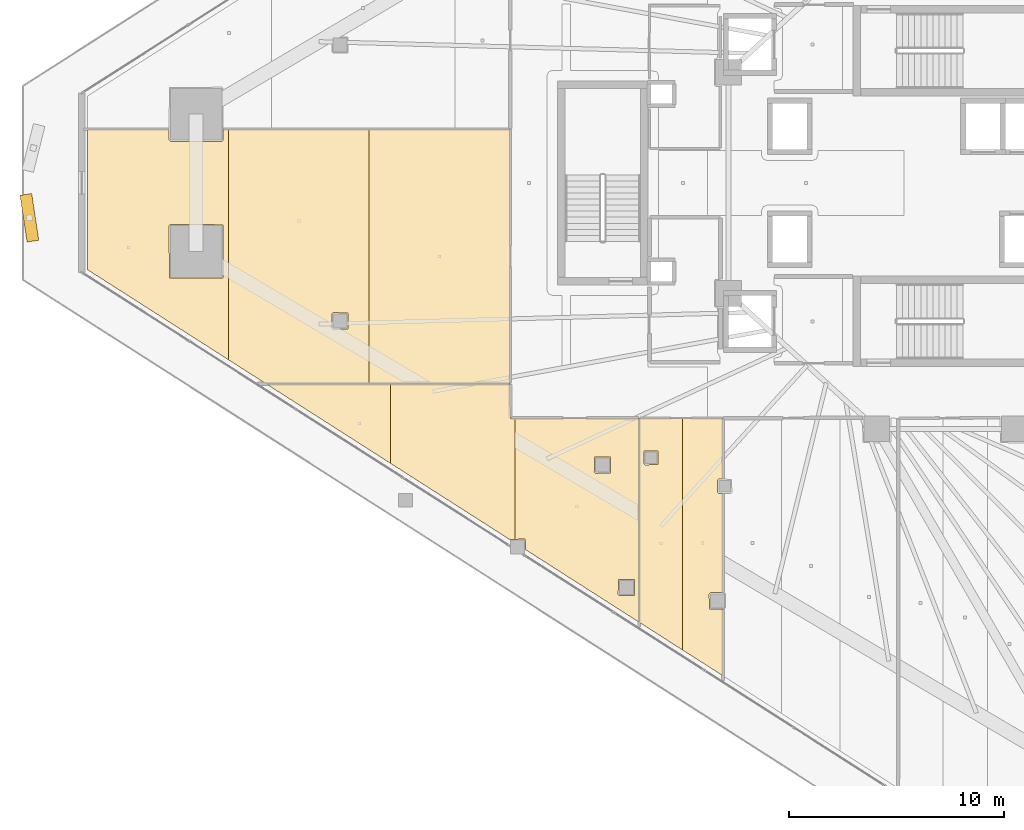
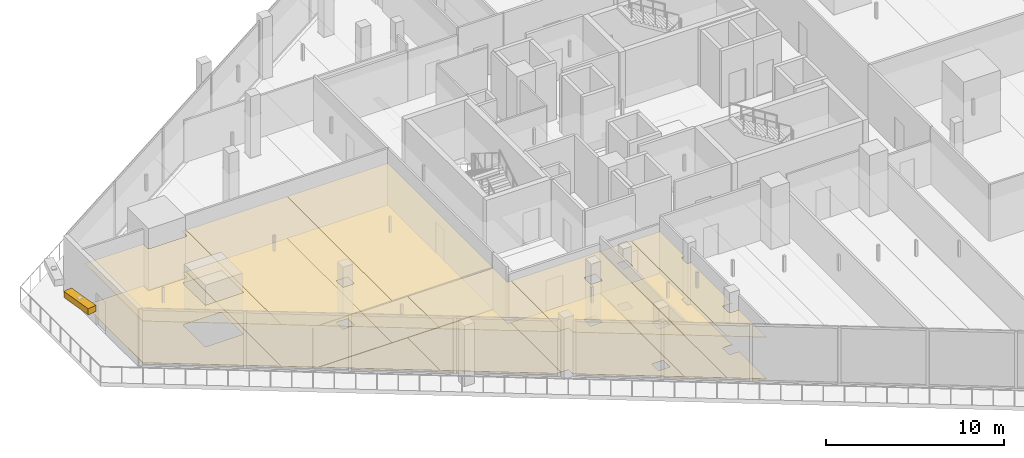
# One storey, part 36 of 44: 16 coverings, 1 shading device.
"""IFC4 building model written with IfcOpenShell, lengths in metres."""

import ifcopenshell
import ifcopenshell.guid

model = None  # the IFC model being written
_history = None  # IfcOwnerHistory: only IFC2X3 demands one
_inside = {}  # id of a spatial element -> (the spatial element, [elements in it])
_under = {}  # id of a project, library or spatial element -> (it, [spatial elements below it])
_declared = {}  # id of a project -> (the project, [libraries it declares])
_typed = {}  # id of a type object -> (the type object, [elements of that type])
_made_of = {}  # id of a material, layer set ... -> (it, [elements and type objects made of it])


def new_model(schema):
    """Start an empty IFC model of exactly this schema.

    Asked for "IFC4X3", IfcOpenShell would pick the latest addendum, in which some entities
    have other attributes; the version numbers below select the first issue.
    IFC2X3 requires an IfcOwnerHistory on every rooted entity: one is made here for all.
    """
    global model, _history
    if schema == "IFC4X3":
        model = ifcopenshell.file(schema_version=(4, 3, 0, 0))
    else:
        model = ifcopenshell.file(schema=schema)
    _inside.clear()
    _under.clear()
    _declared.clear()
    _typed.clear()
    _made_of.clear()
    _history = None
    if model.schema == "IFC2X3":
        org = make("IfcOrganization", Name="unknown")
        user = make(
            "IfcPersonAndOrganization",
            ThePerson=make("IfcPerson", FamilyName="unknown"),
            TheOrganization=org,
        )
        app = make(
            "IfcApplication",
            ApplicationDeveloper=org,
            Version="unknown",
            ApplicationFullName="unknown",
            ApplicationIdentifier="unknown",
        )
        _history = make(
            "IfcOwnerHistory",
            OwningUser=user,
            OwningApplication=app,
            ChangeAction="ADDED",
            CreationDate=0,
        )
    return model


def make(cls, **values):
    """One entity of the class cls with the attributes given. An attribute that is None is left unset."""
    return model.create_entity(
        cls, **{name: value for name, value in values.items() if value is not None}
    )


def rooted(cls, **values):
    """An entity with a GlobalId (a new one), such as an element, a storey or a relation."""
    return make(cls, GlobalId=ifcopenshell.guid.new(), OwnerHistory=_history, **values)


def si_unit(unit_type, name, prefix=None):
    """IfcSIUnit, for example si_unit("LENGTHUNIT", "METRE", prefix="MILLI")."""
    return make("IfcSIUnit", UnitType=unit_type, Prefix=prefix, Name=name)


def assignment(units):
    """IfcUnitAssignment: the units of a project."""
    return None if units is None else make("IfcUnitAssignment", Units=units)


def point(xyz):
    """IfcCartesianPoint."""
    return None if xyz is None else make("IfcCartesianPoint", Coordinates=xyz)


def direction(xyz):
    """IfcDirection."""
    return None if xyz is None else make("IfcDirection", DirectionRatios=xyz)


def frame(location, z_axis=None, x_axis=None):
    """IfcAxis2Placement3D, a coordinate frame: its origin and axes. An axis left out is left unset."""
    return make(
        "IfcAxis2Placement3D",
        Location=point(location),
        Axis=direction(z_axis),
        RefDirection=direction(x_axis),
    )


def frame_2d(location, x_axis=None):
    """IfcAxis2Placement2D, a coordinate frame in the plane: its origin and x axis."""
    return make(
        "IfcAxis2Placement2D", Location=point(location), RefDirection=direction(x_axis)
    )


def origin():
    """The frame at (0, 0, 0) with its axes left unset."""
    return frame((0.0, 0.0, 0.0))


def origin_2d():
    """The frame at (0, 0) in the plane with its x axis left unset."""
    return frame_2d((0.0, 0.0))


def place(relative_to, where):
    """IfcLocalPlacement: puts the frame where relative to a parent placement (None: the world)."""
    return make(
        "IfcLocalPlacement", PlacementRelTo=relative_to, RelativePlacement=where
    )


def context(
    kind, dimensions, precision=None, world=None, true_north=None, identifier=None
):
    """IfcGeometricRepresentationContext, for example the 3D "Model" context."""
    return make(
        "IfcGeometricRepresentationContext",
        ContextIdentifier=identifier,
        ContextType=kind,
        CoordinateSpaceDimension=dimensions,
        Precision=precision,
        WorldCoordinateSystem=world,
        TrueNorth=true_north,
    )


def subcontext(parent, identifier, kind, view, scale=None):
    """IfcGeometricRepresentationSubContext, for example "Body" below "Model"."""
    return make(
        "IfcGeometricRepresentationSubContext",
        ContextIdentifier=identifier,
        ContextType=kind,
        ParentContext=parent,
        TargetScale=scale,
        TargetView=view,
    )


def project(units=None, contexts=None):
    """IfcProject with its units and contexts."""
    return rooted(
        "IfcProject",
        Name="project",
        RepresentationContexts=contexts,
        UnitsInContext=assignment(units),
    )


def spatial(cls, under=None, at=None, **own):
    """A site, building, storey or space (cls), placed at a placement, below another one or the project."""
    s = rooted(cls, ObjectPlacement=at, **own)
    if under is not None:
        _under.setdefault(under.id(), (under, []))[1].append(s)
    return s


def polyline(points):
    """IfcPolyline through the points."""
    return make("IfcPolyline", Points=[point(p) for p in points])


def profile(cls, at=None, kind="AREA", **sizes):
    """A parametric profile (cls). Its sizes go by their IFC names, for example OverallWidth=200.0."""
    return make(cls, ProfileType=kind, Position=at, **sizes)


def rectangle(**sizes):
    """IfcRectangleProfileDef."""
    return profile("IfcRectangleProfileDef", **sizes)


def outline(outer, holes=None, kind="AREA"):
    """IfcArbitraryClosedProfileDef: a profile drawn as a closed curve; with holes, ...WithVoids."""
    if holes is None:
        return make("IfcArbitraryClosedProfileDef", ProfileType=kind, OuterCurve=outer)
    return make(
        "IfcArbitraryProfileDefWithVoids",
        ProfileType=kind,
        OuterCurve=outer,
        InnerCurves=holes,
    )


def extrude(swept, where, along, depth):
    """IfcExtrudedAreaSolid: the profile swept, set in the frame where, extruded along a direction by depth."""
    return make(
        "IfcExtrudedAreaSolid",
        SweptArea=swept,
        Position=where,
        ExtrudedDirection=direction(along),
        Depth=depth,
    )


def shape(context_of_items, identifier, shape_type, items):
    """IfcShapeRepresentation: the items that make up one representation, for example the "Body"."""
    return make(
        "IfcShapeRepresentation",
        ContextOfItems=context_of_items,
        RepresentationIdentifier=identifier,
        RepresentationType=shape_type,
        Items=items,
    )


def material(Name=None, Category=None):
    """IfcMaterial."""
    return make("IfcMaterial", Name=Name, Category=Category)


def layer(
    of_material, thickness, ventilated=None, Name=None, Category=None, Priority=None
):
    """IfcMaterialLayer: one layer of a wall or slab, of a material (None: an air gap)."""
    return make(
        "IfcMaterialLayer",
        Material=of_material,
        LayerThickness=thickness,
        IsVentilated=ventilated,
        Name=Name,
        Category=Category,
        Priority=Priority,
    )


def layer_set(layers, Name=None):
    """IfcMaterialLayerSet."""
    return make("IfcMaterialLayerSet", MaterialLayers=layers, LayerSetName=Name)


def made_of(thing, what):
    """Note that an element or type object is made of a material, layer set ...; save() writes the relation."""
    if what is not None:
        _made_of.setdefault(what.id(), (what, []))[1].append(thing)
    return thing


def type_object(cls, material=None, **own):
    """A type object (cls), such as IfcWallType, which elements share."""
    return made_of(rooted(cls, **own), material)


def element(
    cls,
    number,
    at=None,
    inside=None,
    cuts=None,
    type_object=None,
    material=None,
    context=None,
    identifier="Body",
    shape_type=None,
    held_by="IfcProductDefinitionShape",
    body=None,
    shapes=None,
    **own,
):
    """One element of the class cls, such as IfcWall. Its Tag is "e" and its number.

    at: its placement. inside: the storey or other place that contains it. cuts: it is an
    opening in that element (IfcRelVoidsElement). A single representation is given by context,
    identifier, shape_type and body (its items); several are given by shapes. held_by: the class
    of the entity that holds the representations. save() writes the other relations.
    """
    e = rooted(cls, Tag="e%d" % number, ObjectPlacement=at, **own)
    if body is not None:
        shapes = [shape(context, identifier, shape_type, body)]
    if shapes is not None:
        e.Representation = make(held_by, Representations=shapes)
    if inside is not None:
        _inside.setdefault(inside.id(), (inside, []))[1].append(e)
    if cuts is not None:
        rooted(
            "IfcRelVoidsElement", RelatingBuildingElement=cuts, RelatedOpeningElement=e
        )
    if type_object is not None:
        _typed.setdefault(type_object.id(), (type_object, []))[1].append(e)
    return made_of(e, material)


def aggregate(whole, parts):
    """IfcRelAggregates: a whole, such as a stair, and the parts it consists of."""
    return rooted("IfcRelAggregates", RelatingObject=whole, RelatedObjects=parts)


def save(model, path):
    """Write the relations noted so far, then the file.

    IfcRelAggregates (storeys below a building ...), IfcRelContainedInSpatialStructure (elements
    in a storey), IfcRelDefinesByType, IfcRelAssociatesMaterial and IfcRelDeclares: one each for
    every whole, place, type object, material and project.
    """
    for whole, parts in _under.values():
        aggregate(whole, parts)
    for where, things in _inside.values():
        rooted(
            "IfcRelContainedInSpatialStructure",
            RelatedElements=things,
            RelatingStructure=where,
        )
    for kind, things in _typed.values():
        rooted("IfcRelDefinesByType", RelatedObjects=things, RelatingType=kind)
    for what, things in _made_of.values():
        rooted("IfcRelAssociatesMaterial", RelatedObjects=things, RelatingMaterial=what)
    for by, libraries in _declared.values():
        rooted("IfcRelDeclares", RelatingContext=by, RelatedDefinitions=libraries)
    model.write(path)


model = new_model("IFC4")

# Units and contexts
model_context = context("Model", 3, precision=1e-05, world=origin(), true_north=direction((0.0, 1.0)))
body_context = subcontext(model_context, "Body", "Model", "MODEL_VIEW")
ifc_project = project(units=[si_unit("LENGTHUNIT", "METRE"), si_unit("AREAUNIT", "SQUARE_METRE"), si_unit("VOLUMEUNIT", "CUBIC_METRE"), si_unit("PLANEANGLEUNIT", "RADIAN"), si_unit("MASSUNIT", "GRAM", prefix="KILO")], contexts=[model_context])

# Site, building, storey
site_placement = place(None, origin())
site = spatial("IfcSite", under=ifc_project, at=site_placement, CompositionType="ELEMENT")
building_placement = place(site_placement, origin())
building = spatial("IfcBuilding", under=site, at=building_placement, Name="Qorvath Tower", CompositionType="ELEMENT")
storey_placement = place(building_placement, frame((0.0, 0.0, 45.0)))
storey = spatial("IfcBuildingStorey", under=building, at=storey_placement, Name="L09", CompositionType="ELEMENT", Elevation=45.0)

# Coverings
ifc_material_1 = material(Name="Acoustic mineral fibre ceiling tile", Category="gypsum")
ifc_layer_1 = layer(ifc_material_1, 0.030029296875)
ifc_layer_set_1 = layer_set([ifc_layer_1], Name="COV-CEIL")
covering_type_1 = type_object("IfcCoveringType", Name="COV-CEIL", PredefinedType="CEILING", material=ifc_layer_set_1)
covering_1_placement = place(storey_placement, frame((0.0, 0.0, 2.85009765625)))
element("IfcCovering", 1, at=covering_1_placement, inside=storey, type_object=covering_type_1, Name="L09 Suspended Acoustic Ceiling 022", PredefinedType="CEILING", context=body_context, shape_type="SweptSolid", body=[
    extrude(outline(polyline([(-32.63916015625, -21.74462890625), (-32.63916015625, -10.962890625), (-34.64501953125, -10.962890625), (-34.64501953125, -20.462646484375), (-32.63916015625, -21.74462890625)]), holes=[polyline([(-34.439208984375, -13.0673828125), (-34.421630859375, -12.47509765625), (-33.786865234375, -12.47509765625), (-33.786865234375, -13.10986328125), (-34.379150390625, -13.12744140625), (-34.439208984375, -13.0673828125)])]), origin(), (0.0, 0.0, 1.0), 0.030029296875),
])
covering_2_placement = place(storey_placement, frame((0.0, 0.0, 2.85009765625)))
element("IfcCovering", 2, at=covering_2_placement, inside=storey, type_object=covering_type_1, Name="L09 Suspended Acoustic Ceiling 023", PredefinedType="CEILING", context=body_context, shape_type="SweptSolid", body=[
    extrude(outline(polyline([(-31.341064453125, -19.075439453125), (-30.762451171875, -19.075439453125), (-30.762451171875, -14.459228515625), (-30.9521484375, -14.459228515625), (-31.01220703125, -14.3994140625), (-31.01220703125, -13.849365234375), (-30.9521484375, -13.789306640625), (-30.762451171875, -13.789306640625), (-30.762451171875, -10.962890625), (-32.63916015625, -10.962890625), (-32.63916015625, -21.74462890625), (-30.762451171875, -22.944091796875), (-30.762451171875, -19.845458984375), (-31.383544921875, -19.827880859375), (-31.401123046875, -19.135498046875), (-31.341064453125, -19.075439453125)])), origin(), (0.0, 0.0, 1.0), 0.030029296875),
])
covering_3_placement = place(storey_placement, frame((0.0, 0.0, 2.85009765625)))
element("IfcCovering", 3, at=covering_3_placement, inside=storey, type_object=covering_type_1, Name="L09 Suspended Acoustic Ceiling 039", PredefinedType="CEILING", context=body_context, shape_type="SweptSolid", body=[
    extrude(outline(polyline([(-46.237548828125, -13.053466796875), (-46.237548828125, -9.354736328125), (-52.02490234375, -9.354736328125), (-46.237548828125, -13.053466796875)])), origin(), (0.0, 0.0, 1.0), 0.030029296875),
])
covering_4_placement = place(storey_placement, frame((0.0, 0.0, 2.85009765625)))
element("IfcCovering", 4, at=covering_4_placement, inside=storey, type_object=covering_type_1, Name="L09 Suspended Acoustic Ceiling 040", PredefinedType="CEILING", context=body_context, shape_type="SweptSolid", body=[
    extrude(outline(polyline([(-40.6630859375, -9.354736328125), (-46.237548828125, -9.354736328125), (-46.237548828125, -13.053466796875), (-40.701416015625, -16.591796875), (-40.4501953125, -16.590576171875), (-40.4501953125, -10.962890625), (-40.657958984375, -10.962890625), (-40.6630859375, -9.354736328125)])), origin(), (0.0, 0.0, 1.0), 0.030029296875),
])
covering_5_placement = place(storey_placement, frame((0.0, 0.0, 2.85009765625)))
element("IfcCovering", 5, at=covering_5_placement, inside=storey, type_object=covering_type_1, Name="L09 Suspended Acoustic Ceiling 041", PredefinedType="CEILING", context=body_context, shape_type="SweptSolid", body=[
    extrude(outline(polyline([(-40.4501953125, -10.962890625), (-40.4501953125, -16.590576171875), (-39.965087890625, -16.58837890625), (-39.947509765625, -17.07373046875), (-34.6630859375, -20.451171875), (-34.6630859375, -10.962890625), (-40.4501953125, -10.962890625)]), holes=[polyline([(-35.63671875, -19.154296875), (-35.619140625, -18.4619140625), (-34.88427734375, -18.4619140625), (-34.88427734375, -19.19677734375), (-35.57666015625, -19.21435546875), (-35.63671875, -19.154296875)]), polyline([(-36.749755859375, -13.46044921875), (-36.732177734375, -12.76806640625), (-35.997314453125, -12.76806640625), (-35.997314453125, -13.5029296875), (-36.689697265625, -13.5205078125), (-36.749755859375, -13.46044921875)])]), origin(), (0.0, 0.0, 1.0), 0.030029296875),
])
covering_6_placement = place(storey_placement, frame((0.0, 0.0, 2.85009765625)))
element("IfcCovering", 6, at=covering_6_placement, inside=storey, type_object=covering_type_1, Name="L09 Suspended Acoustic Ceiling 042", PredefinedType="CEILING", context=body_context, shape_type="SweptSolid", body=[
    extrude(outline(polyline([(-56.54296875, 2.494384765625), (-60.345947265625, 2.494384765625), (-60.345947265625, -4.036376953125), (-53.784912109375, -8.229736328125), (-53.784912109375, 2.494384765625), (-54.02294921875, 2.494384765625), (-54.02294921875, 1.994384765625), (-54.0830078125, 1.9345703125), (-56.48291015625, 1.9345703125), (-56.54296875, 1.994384765625), (-56.54296875, 2.494384765625)]), holes=[polyline([(-56.54296875, -1.994384765625), (-56.48291015625, -1.9345703125), (-54.04052734375, -1.9521484375), (-54.04052734375, -4.43701171875), (-56.525390625, -4.43701171875), (-56.54296875, -1.994384765625)])]), origin(), (0.0, 0.0, 1.0), 0.030029296875),
])
covering_7_placement = place(storey_placement, frame((0.0, 0.0, 2.85009765625)))
element("IfcCovering", 7, at=covering_7_placement, inside=storey, type_object=covering_type_1, Name="L09 Suspended Acoustic Ceiling 043", PredefinedType="CEILING", context=body_context, shape_type="SweptSolid", body=[
    extrude(outline(polyline([(-53.784912109375, 2.494384765625), (-53.784912109375, -8.229736328125), (-52.052978515625, -9.336669921875), (-47.22412109375, -9.336669921875), (-47.22412109375, 2.494384765625), (-53.784912109375, 2.494384765625)]), holes=[polyline([(-48.96337890625, -6.099609375), (-48.9033203125, -6.03955078125), (-48.2109375, -6.05712890625), (-48.2109375, -6.7919921875), (-48.94580078125, -6.7919921875), (-48.96337890625, -6.099609375)])]), origin(), (0.0, 0.0, 1.0), 0.030029296875),
])
covering_8_placement = place(storey_placement, frame((0.0, 0.0, 2.85009765625)))
element("IfcCovering", 8, at=covering_8_placement, inside=storey, type_object=covering_type_1, Name="L09 Suspended Acoustic Ceiling 044", PredefinedType="CEILING", context=body_context, shape_type="SweptSolid", body=[
    extrude(outline(polyline([(-47.22412109375, 2.494384765625), (-47.22412109375, -9.336669921875), (-40.6630859375, -9.336669921875), (-40.6630859375, 2.494384765625), (-47.22412109375, 2.494384765625)])), origin(), (0.0, 0.0, 1.0), 0.030029296875),
])
ifc_material_2 = material(Name="Low-VOC modular carpet tile", Category="textile")
ifc_layer_2 = layer(ifc_material_2, 0.014892578125)
ifc_layer_set_2 = layer_set([ifc_layer_2], Name="COV-FLOOR-CPT")
covering_type_2 = type_object("IfcCoveringType", Name="COV-FLOOR-CPT", PredefinedType="FLOORING", material=ifc_layer_set_2)
covering_9_placement = place(storey_placement, origin())
element("IfcCovering", 9, at=covering_9_placement, inside=storey, type_object=covering_type_2, Name="L09 Floor Finish 022", PredefinedType="FLOORING", context=body_context, shape_type="SweptSolid", body=[
    extrude(outline(polyline([(-32.63916015625, -21.74462890625), (-32.63916015625, -10.962890625), (-34.64501953125, -10.962890625), (-34.64501953125, -20.462646484375), (-32.63916015625, -21.74462890625)]), holes=[polyline([(-34.439208984375, -13.0673828125), (-34.421630859375, -12.47509765625), (-33.786865234375, -12.47509765625), (-33.786865234375, -13.10986328125), (-34.379150390625, -13.12744140625), (-34.439208984375, -13.0673828125)])]), origin(), (0.0, 0.0, 1.0), 0.014892578125),
])
covering_10_placement = place(storey_placement, origin())
element("IfcCovering", 10, at=covering_10_placement, inside=storey, type_object=covering_type_2, Name="L09 Floor Finish 023", PredefinedType="FLOORING", context=body_context, shape_type="SweptSolid", body=[
    extrude(outline(polyline([(-31.341064453125, -19.075439453125), (-30.762451171875, -19.075439453125), (-30.762451171875, -14.459228515625), (-30.9521484375, -14.459228515625), (-31.01220703125, -14.3994140625), (-31.01220703125, -13.849365234375), (-30.9521484375, -13.789306640625), (-30.762451171875, -13.789306640625), (-30.762451171875, -10.962890625), (-32.63916015625, -10.962890625), (-32.63916015625, -21.74462890625), (-30.762451171875, -22.944091796875), (-30.762451171875, -19.845458984375), (-31.383544921875, -19.827880859375), (-31.401123046875, -19.135498046875), (-31.341064453125, -19.075439453125)])), origin(), (0.0, 0.0, 1.0), 0.014892578125),
])
covering_11_placement = place(storey_placement, origin())
element("IfcCovering", 11, at=covering_11_placement, inside=storey, type_object=covering_type_2, Name="L09 Floor Finish 039", PredefinedType="FLOORING", context=body_context, shape_type="SweptSolid", body=[
    extrude(outline(polyline([(-46.237548828125, -13.053466796875), (-46.237548828125, -9.354736328125), (-52.02490234375, -9.354736328125), (-46.237548828125, -13.053466796875)])), origin(), (0.0, 0.0, 1.0), 0.014892578125),
])
covering_12_placement = place(storey_placement, origin())
element("IfcCovering", 12, at=covering_12_placement, inside=storey, type_object=covering_type_2, Name="L09 Floor Finish 040", PredefinedType="FLOORING", context=body_context, shape_type="SweptSolid", body=[
    extrude(outline(polyline([(-40.6630859375, -9.354736328125), (-46.237548828125, -9.354736328125), (-46.237548828125, -13.053466796875), (-40.701416015625, -16.591796875), (-40.4501953125, -16.590576171875), (-40.4501953125, -10.962890625), (-40.657958984375, -10.962890625), (-40.6630859375, -9.354736328125)])), origin(), (0.0, 0.0, 1.0), 0.014892578125),
])
covering_13_placement = place(storey_placement, origin())
element("IfcCovering", 13, at=covering_13_placement, inside=storey, type_object=covering_type_2, Name="L09 Floor Finish 041", PredefinedType="FLOORING", context=body_context, shape_type="SweptSolid", body=[
    extrude(outline(polyline([(-40.4501953125, -10.962890625), (-40.4501953125, -16.590576171875), (-39.965087890625, -16.58837890625), (-39.947509765625, -17.07373046875), (-34.6630859375, -20.451171875), (-34.6630859375, -10.962890625), (-40.4501953125, -10.962890625)]), holes=[polyline([(-35.63671875, -19.154296875), (-35.619140625, -18.4619140625), (-34.88427734375, -18.4619140625), (-34.88427734375, -19.19677734375), (-35.57666015625, -19.21435546875), (-35.63671875, -19.154296875)]), polyline([(-36.749755859375, -13.46044921875), (-36.732177734375, -12.76806640625), (-35.997314453125, -12.76806640625), (-35.997314453125, -13.5029296875), (-36.689697265625, -13.5205078125), (-36.749755859375, -13.46044921875)])]), origin(), (0.0, 0.0, 1.0), 0.014892578125),
])
covering_14_placement = place(storey_placement, origin())
element("IfcCovering", 14, at=covering_14_placement, inside=storey, type_object=covering_type_2, Name="L09 Floor Finish 042", PredefinedType="FLOORING", context=body_context, shape_type="SweptSolid", body=[
    extrude(outline(polyline([(-56.54296875, 2.494384765625), (-60.345947265625, 2.494384765625), (-60.345947265625, -4.036376953125), (-53.784912109375, -8.229736328125), (-53.784912109375, 2.494384765625), (-54.02294921875, 2.494384765625), (-54.02294921875, 1.994384765625), (-54.0830078125, 1.9345703125), (-56.48291015625, 1.9345703125), (-56.54296875, 1.994384765625), (-56.54296875, 2.494384765625)]), holes=[polyline([(-56.54296875, -1.994384765625), (-56.48291015625, -1.9345703125), (-54.04052734375, -1.9521484375), (-54.04052734375, -4.43701171875), (-56.525390625, -4.43701171875), (-56.54296875, -1.994384765625)])]), origin(), (0.0, 0.0, 1.0), 0.014892578125),
])
covering_15_placement = place(storey_placement, origin())
element("IfcCovering", 15, at=covering_15_placement, inside=storey, type_object=covering_type_2, Name="L09 Floor Finish 043", PredefinedType="FLOORING", context=body_context, shape_type="SweptSolid", body=[
    extrude(outline(polyline([(-53.784912109375, 2.494384765625), (-53.784912109375, -8.229736328125), (-52.052978515625, -9.336669921875), (-47.22412109375, -9.336669921875), (-47.22412109375, 2.494384765625), (-53.784912109375, 2.494384765625)]), holes=[polyline([(-48.96337890625, -6.099609375), (-48.9033203125, -6.03955078125), (-48.2109375, -6.05712890625), (-48.2109375, -6.7919921875), (-48.94580078125, -6.7919921875), (-48.96337890625, -6.099609375)])]), origin(), (0.0, 0.0, 1.0), 0.014892578125),
])
covering_16_placement = place(storey_placement, origin())
element("IfcCovering", 16, at=covering_16_placement, inside=storey, type_object=covering_type_2, Name="L09 Floor Finish 044", PredefinedType="FLOORING", context=body_context, shape_type="SweptSolid", body=[
    extrude(outline(polyline([(-47.22412109375, 2.494384765625), (-47.22412109375, -9.336669921875), (-40.6630859375, -9.336669921875), (-40.6630859375, 2.494384765625), (-47.22412109375, 2.494384765625)])), origin(), (0.0, 0.0, 1.0), 0.014892578125),
])

# Shading device
ifc_material_3 = material(Name="Anodised bronze-champagne aluminium", Category="aluminium")
shading_device_type = type_object("IfcShadingDeviceType", Name="SD-LOUVRE", PredefinedType="JALOUSIE", material=ifc_material_3)
shading_device_placement = place(storey_placement, frame((-63.044677734375, -1.62353515625, 3.5), z_axis=(0.0, 0.0, 1.0), x_axis=(0.150075466905, -0.988674544141, 0.0)))
element("IfcShadingDevice", 17, at=shading_device_placement, inside=storey, type_object=shading_device_type, Name="Sinusoidal Wave Louvre Blade L09-02", PredefinedType="NOTDEFINED", context=body_context, shape_type="SweptSolid", body=[
    extrude(rectangle(XDim=2.199951171875, YDim=0.550048828125, at=origin_2d()), origin(), (0.0, 0.0, 1.0), 0.419921875),
])

save(model, "model.ifc")
